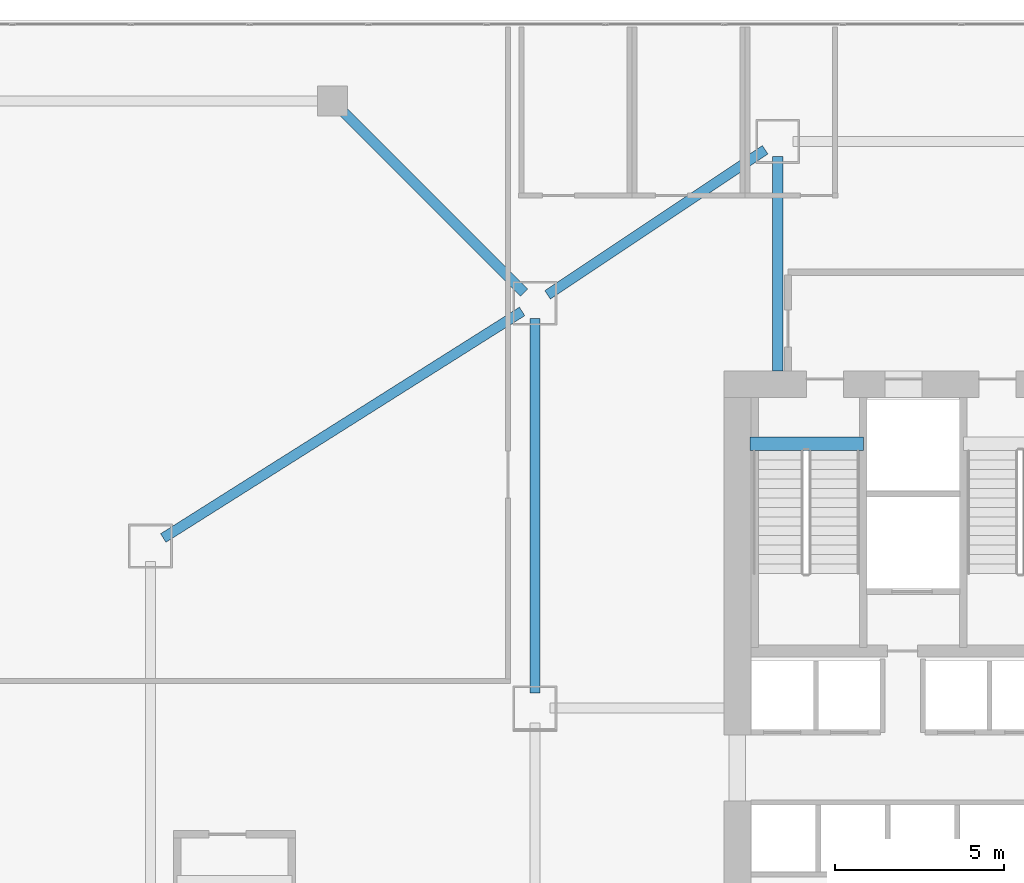
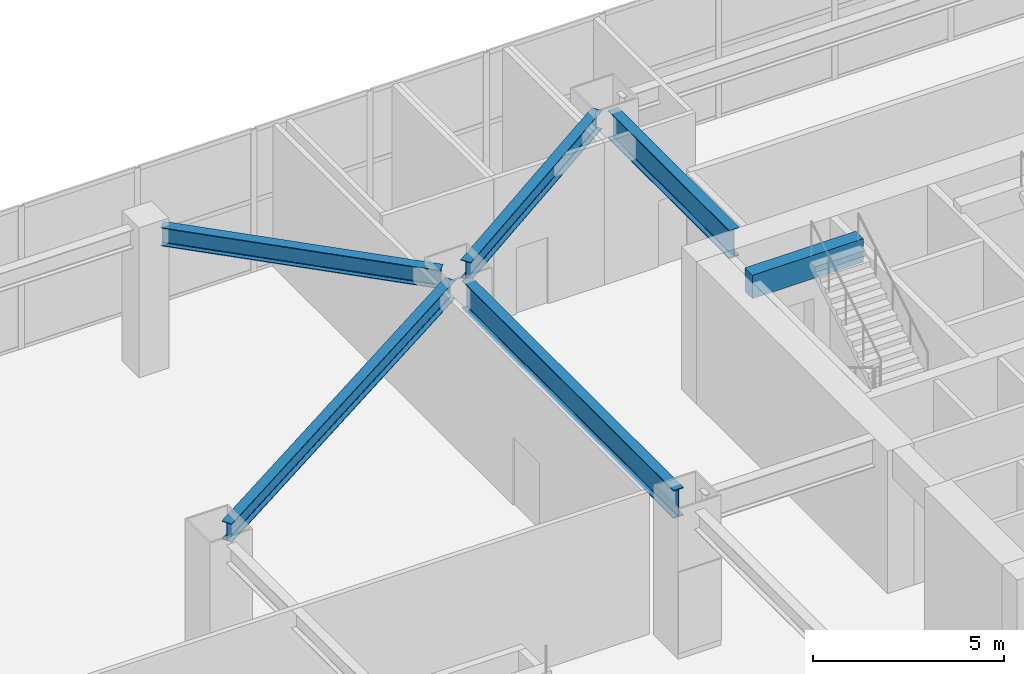
# One storey, part 10 of 31: 6 beams.
"""IFC4 building model written with IfcOpenShell, lengths in metres."""

from ifc_helpers import new_model, si_unit, direction, frame, origin, origin_2d, place, context, subcontext, project, spatial, rectangle, i_section, extrude, material, material_profile, profile_set, type_object, element, save


model = new_model("IFC4")

# Units and contexts
model_context = context("Model", 3, precision=1e-05, world=origin(), true_north=direction((0.0, 1.0)))
body_context = subcontext(model_context, "Body", "Model", "MODEL_VIEW")
ifc_project = project(units=[si_unit("LENGTHUNIT", "METRE"), si_unit("AREAUNIT", "SQUARE_METRE"), si_unit("VOLUMEUNIT", "CUBIC_METRE"), si_unit("PLANEANGLEUNIT", "RADIAN"), si_unit("MASSUNIT", "GRAM", prefix="KILO")], contexts=[model_context])

# Site, building, storey
site_placement = place(None, origin())
site = spatial("IfcSite", under=ifc_project, at=site_placement, CompositionType="ELEMENT")
building_placement = place(site_placement, origin())
building = spatial("IfcBuilding", under=site, at=building_placement, Name="Haolan Belvedere Tower", CompositionType="ELEMENT")
storey_placement = place(building_placement, frame((0.0, 0.0, 5.39990234375)))
storey = spatial("IfcBuildingStorey", under=building, at=storey_placement, Name="L01", CompositionType="ELEMENT", Elevation=5.39990234375)

# Beams
ifc_material_1 = material(Name="Steel Q355B", Category="steel")
ifc_material_profile_1 = material_profile(ifc_material_1, i_section(OverallWidth=0.300048828125, OverallDepth=0.587890625, WebThickness=0.011962890625, FlangeThickness=0.02001953125, FilletRadius=0.028076171875, at=origin_2d()), Name="Steel Q355B")
ifc_profile_set_1 = profile_set([ifc_material_profile_1], Name="Steel Q355B")
beam_type_1 = type_object("IfcBeamType", Name="BM-HM588x300x12x20", PredefinedType="SPANDREL", material=ifc_profile_set_1)
beam_1_placement = place(storey_placement, frame((24.37451171875, 45.849609375, 4.26611328125), z_axis=(0.832050294338, 0.554700196225, 0.0), x_axis=(-0.554700196225, 0.832050294338, 0.0)))
element("IfcBeam", 1, at=beam_1_placement, inside=storey, type_object=beam_type_1, Name="L01 spandrel girder MC-T3-NW-MC-T3-N1", PredefinedType="SPANDREL", context=body_context, shape_type="SweptSolid", body=[
    extrude(i_section(OverallWidth=0.300048828125, OverallDepth=0.587890625, WebThickness=0.011962890625, FlangeThickness=0.02001953125, FilletRadius=0.028076171875, at=origin_2d()), origin(), (0.0, 0.0, 1.0), 7.75341796875),
])
beam_2_placement = place(storey_placement, frame((12.98046875, 38.640380859375, 4.26611328125), z_axis=(0.845497201575, 0.5339798518, 0.0), x_axis=(-0.5339798518, 0.845497201575, 0.0)))
element("IfcBeam", 2, at=beam_2_placement, inside=storey, type_object=beam_type_1, Name="L01 spandrel girder MC-T2-NW-MC-T3-NW", PredefinedType="SPANDREL", context=body_context, shape_type="SweptSolid", body=[
    extrude(i_section(OverallWidth=0.300048828125, OverallDepth=0.587890625, WebThickness=0.011962890625, FlangeThickness=0.02001953125, FilletRadius=0.028076171875, at=origin_2d()), origin(), (0.0, 0.0, 1.0), 12.583251953125),
])
beam_3_placement = place(storey_placement, frame((18.318115234375, 51.28173828125, 4.26611328125), z_axis=(0.707122873923, -0.707090688084, 0.0), x_axis=(0.707090688084, 0.707122873923, 0.0)))
element("IfcBeam", 3, at=beam_3_placement, inside=storey, type_object=beam_type_1, Name="L01 spandrel girder PC-NW-2-MC-T3-NW", PredefinedType="SPANDREL", context=body_context, shape_type="SweptSolid", body=[
    extrude(i_section(OverallWidth=0.300048828125, OverallDepth=0.587890625, WebThickness=0.011962890625, FlangeThickness=0.02001953125, FilletRadius=0.028076171875, at=origin_2d()), origin(), (0.0, 0.0, 1.0), 7.58544921875),
])
ifc_material_profile_2 = material_profile(ifc_material_1, i_section(OverallWidth=0.300048828125, OverallDepth=0.89990234375, WebThickness=0.01611328125, FlangeThickness=0.028076171875, FilletRadius=0.028076171875, at=origin_2d()), Name="Steel Q355B")
ifc_profile_set_2 = profile_set([ifc_material_profile_2], Name="Steel Q355B")
beam_type_2 = type_object("IfcBeamType", Name="BM-HN900x300x16x28", PredefinedType="BEAM", material=ifc_profile_set_2)
beam_4_placement = place(storey_placement, frame((24.0, 34.050048828125, 4.110107421875), z_axis=(0.0, 1.0, 0.0), x_axis=(-1.0, 0.0, 0.0)))
element("IfcBeam", 4, at=beam_4_placement, inside=storey, type_object=beam_type_2, Name="L01 primary girder MC-T3-MW-MC-T3-NW", PredefinedType="BEAM", context=body_context, shape_type="SweptSolid", body=[
    extrude(i_section(OverallWidth=0.300048828125, OverallDepth=0.89990234375, WebThickness=0.01611328125, FlangeThickness=0.028076171875, FilletRadius=0.028076171875, at=origin_2d()), origin(), (0.0, 0.0, 1.0), 11.099853515625),
])
beam_5_placement = place(storey_placement, frame((31.199951171875, 49.949951171875, 4.110107421875), z_axis=(0.0, -1.0, 0.0), x_axis=(1.0, 0.0, 0.0)))
element("IfcBeam", 5, at=beam_5_placement, inside=storey, type_object=beam_type_2, Name="L01 core tie beam from MC-T3-N1", PredefinedType="BEAM", context=body_context, shape_type="SweptSolid", body=[
    extrude(i_section(OverallWidth=0.300048828125, OverallDepth=0.89990234375, WebThickness=0.01611328125, FlangeThickness=0.028076171875, FilletRadius=0.028076171875, at=origin_2d()), origin(), (0.0, 0.0, 1.0), 6.349853515625),
])
ifc_material_2 = material(Name="Concrete C50/60", Category="concrete")
ifc_material_profile_3 = material_profile(ifc_material_2, rectangle(XDim=0.39990234375, YDim=0.75, at=origin_2d()), Name="Concrete C50/60")
ifc_profile_set_3 = profile_set([ifc_material_profile_3], Name="Concrete C50/60")
beam_type_3 = type_object("IfcBeamType", Name="BM-RC400x750", PredefinedType="T_BEAM", material=ifc_profile_set_3)
beam_6_placement = place(storey_placement, frame((30.3798828125, 41.429931640625, 4.425048828125), z_axis=(1.0, 0.0, 0.0), x_axis=(0.0, 1.0, 0.0)))
element("IfcBeam", 6, at=beam_6_placement, inside=storey, type_object=beam_type_3, Name="L02 stair ST1 RC header trimmer beam", PredefinedType="BEAM", context=body_context, shape_type="SweptSolid", body=[
    extrude(rectangle(XDim=0.39990234375, YDim=0.75, at=origin_2d()), origin(), (0.0, 0.0, 1.0), 3.360107421875),
])

save(model, "model.ifc")
